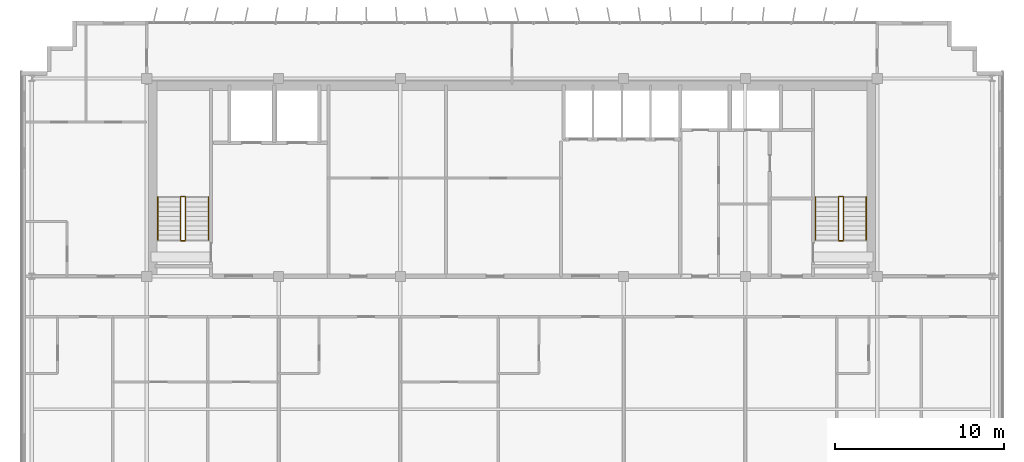
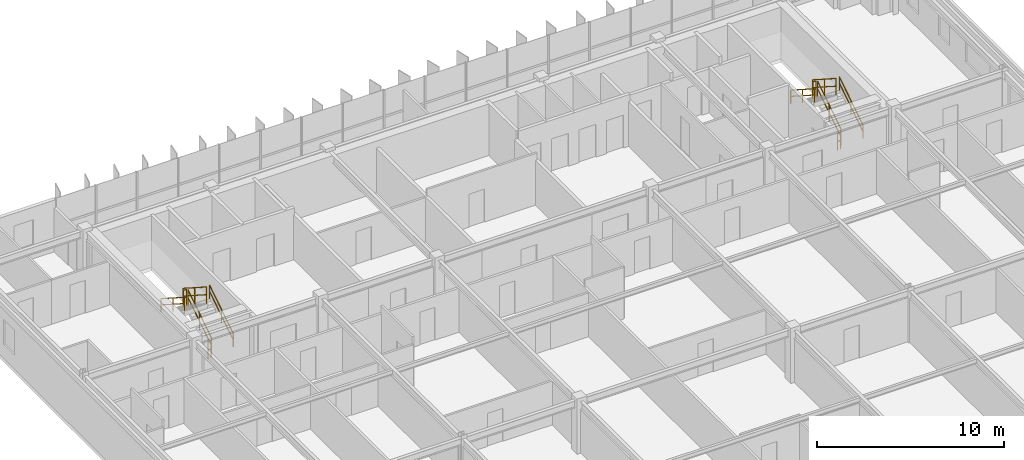
# One storey, part 23 of 23: 12 railings.
"""IFC4 building model written with IfcOpenShell, lengths in metres."""

from ifc_helpers import new_model, si_unit, direction, frame, origin, origin_2d, place, context, subcontext, project, spatial, rectangle, extrude, material, type_object, element, save


model = new_model("IFC4")

# Units and contexts
model_context = context("Model", 3, precision=1e-05, world=origin(), true_north=direction((0.0, 1.0)))
body_context = subcontext(model_context, "Body", "Model", "MODEL_VIEW")
ifc_project = project(units=[si_unit("LENGTHUNIT", "METRE"), si_unit("AREAUNIT", "SQUARE_METRE"), si_unit("VOLUMEUNIT", "CUBIC_METRE"), si_unit("PLANEANGLEUNIT", "RADIAN"), si_unit("MASSUNIT", "GRAM", prefix="KILO")], contexts=[model_context])

# Site, building, storey
site_placement = place(None, origin())
site = spatial("IfcSite", under=ifc_project, at=site_placement, CompositionType="ELEMENT")
building_placement = place(site_placement, origin())
building = spatial("IfcBuilding", under=site, at=building_placement, Name="Trelvane Seafront Commons", CompositionType="ELEMENT")
storey_placement = place(building_placement, frame((0.0, 0.0, 263.10009765625)))
storey = spatial("IfcBuildingStorey", under=building, at=storey_placement, Name="L68", CompositionType="ELEMENT", Elevation=263.10009765625)

# Railings
ifc_material = material(Name="Stainless steel balustrade", Category="steel")
railing_type_1 = type_object("IfcRailingType", Name="ARCH-SRL-GUARD", PredefinedType="GUARDRAIL", material=ifc_material)
railing_1_placement = place(storey_placement, frame((17.89990234375, 35.550048828125, 0.179931640625)))
element("IfcRailing", 1, at=railing_1_placement, inside=storey, type_object=railing_type_1, Name="L68 ST-1 stair guard 1", PredefinedType="GUARDRAIL", context=body_context, shape_type="SweptSolid", body=[
    extrude(rectangle(XDim=0.048095703125, YDim=0.048095703125, at=origin_2d()), frame((0.0, 0.0, 1.076171875), z_axis=(0.0, 0.841199657755, 0.540724639528), x_axis=(-1.0, 0.0, 0.0)), (0.0, 0.0, 1.0), 2.995849609375),
    extrude(rectangle(XDim=0.048095703125, YDim=0.048095703125, at=origin_2d()), frame((0.0, 0.0, 0.572021484375), z_axis=(0.0, 0.841199657755, 0.540724639528), x_axis=(-1.0, 0.0, 0.0)), (0.0, 0.0, 1.0), 2.995849609375),
    extrude(rectangle(XDim=0.0419921875, YDim=0.0419921875, at=origin_2d()), origin(), (0.0, 0.0, 1.0), 1.076171875),
    extrude(rectangle(XDim=0.0419921875, YDim=0.0419921875, at=origin_2d()), frame((0.0, 1.260009765625, 0.81005859375)), (0.0, 0.0, 1.0), 1.076171875),
    extrude(rectangle(XDim=0.0419921875, YDim=0.0419921875, at=origin_2d()), frame((0.0, 2.52001953125, 1.619873046875)), (0.0, 0.0, 1.0), 1.076171875),
])
railing_2_placement = place(storey_placement, frame((17.85009765625, 38.1201171875, 1.7998046875)))
element("IfcRailing", 2, at=railing_2_placement, inside=storey, type_object=railing_type_1, Name="L68 ST-1 stair guard 2", PredefinedType="GUARDRAIL", context=body_context, shape_type="SweptSolid", body=[
    extrude(rectangle(XDim=0.048095703125, YDim=0.048095703125, at=origin_2d()), frame((0.0, 0.0, 1.076171875), z_axis=(-1.0, 0.0, 0.0), x_axis=(0.0, -1.0, 0.0)), (0.0, 0.0, 1.0), 0.2001953125),
    extrude(rectangle(XDim=0.048095703125, YDim=0.048095703125, at=origin_2d()), frame((0.0, 0.0, 0.572021484375), z_axis=(-1.0, 0.0, 0.0), x_axis=(0.0, -1.0, 0.0)), (0.0, 0.0, 1.0), 0.2001953125),
    extrude(rectangle(XDim=0.0419921875, YDim=0.0419921875, at=origin_2d()), origin(), (0.0, 0.0, 1.0), 1.076171875),
    extrude(rectangle(XDim=0.0419921875, YDim=0.0419921875, at=origin_2d()), frame((-0.2001953125, 0.0, 0.0)), (0.0, 0.0, 1.0), 1.076171875),
])
railing_3_placement = place(storey_placement, frame((17.60009765625, 38.070068359375, 1.97998046875)))
element("IfcRailing", 3, at=railing_3_placement, inside=storey, type_object=railing_type_1, Name="L68 ST-1 stair guard 3", PredefinedType="GUARDRAIL", context=body_context, shape_type="SweptSolid", body=[
    extrude(rectangle(XDim=0.048095703125, YDim=0.048095703125, at=origin_2d()), frame((0.0, 0.0, 1.076171875), z_axis=(0.0, -0.841199657755, 0.540724639528), x_axis=(1.0, 0.0, 0.0)), (0.0, 0.0, 1.0), 2.995849609375),
    extrude(rectangle(XDim=0.048095703125, YDim=0.048095703125, at=origin_2d()), frame((0.0, 0.0, 0.572021484375), z_axis=(0.0, -0.841199657755, 0.540724639528), x_axis=(1.0, 0.0, 0.0)), (0.0, 0.0, 1.0), 2.995849609375),
    extrude(rectangle(XDim=0.0419921875, YDim=0.0419921875, at=origin_2d()), origin(), (0.0, 0.0, 1.0), 1.076171875),
    extrude(rectangle(XDim=0.0419921875, YDim=0.0419921875, at=origin_2d()), frame((0.0, -1.260009765625, 0.81005859375)), (0.0, 0.0, 1.0), 1.076171875),
    extrude(rectangle(XDim=0.0419921875, YDim=0.0419921875, at=origin_2d()), frame((0.0, -2.52001953125, 1.619873046875)), (0.0, 0.0, 1.0), 1.076171875),
])
railing_4_placement = place(storey_placement, frame((17.85009765625, 35.5, 0.0)))
element("IfcRailing", 4, at=railing_4_placement, inside=storey, type_object=railing_type_1, Name="L68 ST-1 stair guard 4", PredefinedType="GUARDRAIL", context=body_context, shape_type="SweptSolid", body=[
    extrude(rectangle(XDim=0.048095703125, YDim=0.048095703125, at=origin_2d()), frame((0.0, 0.0, 1.076171875), z_axis=(-1.0, 0.0, 0.0), x_axis=(0.0, -1.0, 0.0)), (0.0, 0.0, 1.0), 0.2001953125),
    extrude(rectangle(XDim=0.048095703125, YDim=0.048095703125, at=origin_2d()), frame((0.0, 0.0, 0.572021484375), z_axis=(-1.0, 0.0, 0.0), x_axis=(0.0, -1.0, 0.0)), (0.0, 0.0, 1.0), 0.2001953125),
    extrude(rectangle(XDim=0.0419921875, YDim=0.0419921875, at=origin_2d()), origin(), (0.0, 0.0, 1.0), 1.076171875),
    extrude(rectangle(XDim=0.0419921875, YDim=0.0419921875, at=origin_2d()), frame((-0.2001953125, 0.0, 0.0)), (0.0, 0.0, 1.0), 1.076171875),
])
railing_5_placement = place(storey_placement, frame((56.800048828125, 35.550048828125, 0.179931640625)))
element("IfcRailing", 5, at=railing_5_placement, inside=storey, type_object=railing_type_1, Name="L68 ST-2 stair guard 1", PredefinedType="GUARDRAIL", context=body_context, shape_type="SweptSolid", body=[
    extrude(rectangle(XDim=0.048095703125, YDim=0.048095703125, at=origin_2d()), frame((0.0, 0.0, 1.076171875), z_axis=(0.0, 0.841199657755, 0.540724639528), x_axis=(-1.0, 0.0, 0.0)), (0.0, 0.0, 1.0), 2.995849609375),
    extrude(rectangle(XDim=0.048095703125, YDim=0.048095703125, at=origin_2d()), frame((0.0, 0.0, 0.572021484375), z_axis=(0.0, 0.841199657755, 0.540724639528), x_axis=(-1.0, 0.0, 0.0)), (0.0, 0.0, 1.0), 2.995849609375),
    extrude(rectangle(XDim=0.0419921875, YDim=0.0419921875, at=origin_2d()), origin(), (0.0, 0.0, 1.0), 1.076171875),
    extrude(rectangle(XDim=0.0419921875, YDim=0.0419921875, at=origin_2d()), frame((0.0, 1.260009765625, 0.81005859375)), (0.0, 0.0, 1.0), 1.076171875),
    extrude(rectangle(XDim=0.0419921875, YDim=0.0419921875, at=origin_2d()), frame((0.0, 2.52001953125, 1.619873046875)), (0.0, 0.0, 1.0), 1.076171875),
])
railing_6_placement = place(storey_placement, frame((56.75, 38.1201171875, 1.7998046875)))
element("IfcRailing", 6, at=railing_6_placement, inside=storey, type_object=railing_type_1, Name="L68 ST-2 stair guard 2", PredefinedType="GUARDRAIL", context=body_context, shape_type="SweptSolid", body=[
    extrude(rectangle(XDim=0.048095703125, YDim=0.048095703125, at=origin_2d()), frame((0.0, 0.0, 1.076171875), z_axis=(-1.0, 0.0, 0.0), x_axis=(0.0, -1.0, 0.0)), (0.0, 0.0, 1.0), 0.199951171875),
    extrude(rectangle(XDim=0.048095703125, YDim=0.048095703125, at=origin_2d()), frame((0.0, 0.0, 0.572021484375), z_axis=(-1.0, 0.0, 0.0), x_axis=(0.0, -1.0, 0.0)), (0.0, 0.0, 1.0), 0.199951171875),
    extrude(rectangle(XDim=0.0419921875, YDim=0.0419921875, at=origin_2d()), origin(), (0.0, 0.0, 1.0), 1.076171875),
    extrude(rectangle(XDim=0.0419921875, YDim=0.0419921875, at=origin_2d()), frame((-0.199951171875, 0.0, 0.0)), (0.0, 0.0, 1.0), 1.076171875),
])
railing_7_placement = place(storey_placement, frame((56.5, 38.070068359375, 1.97998046875)))
element("IfcRailing", 7, at=railing_7_placement, inside=storey, type_object=railing_type_1, Name="L68 ST-2 stair guard 3", PredefinedType="GUARDRAIL", context=body_context, shape_type="SweptSolid", body=[
    extrude(rectangle(XDim=0.048095703125, YDim=0.048095703125, at=origin_2d()), frame((0.0, 0.0, 1.076171875), z_axis=(0.0, -0.841199657755, 0.540724639528), x_axis=(1.0, 0.0, 0.0)), (0.0, 0.0, 1.0), 2.995849609375),
    extrude(rectangle(XDim=0.048095703125, YDim=0.048095703125, at=origin_2d()), frame((0.0, 0.0, 0.572021484375), z_axis=(0.0, -0.841199657755, 0.540724639528), x_axis=(1.0, 0.0, 0.0)), (0.0, 0.0, 1.0), 2.995849609375),
    extrude(rectangle(XDim=0.0419921875, YDim=0.0419921875, at=origin_2d()), origin(), (0.0, 0.0, 1.0), 1.076171875),
    extrude(rectangle(XDim=0.0419921875, YDim=0.0419921875, at=origin_2d()), frame((0.0, -1.260009765625, 0.81005859375)), (0.0, 0.0, 1.0), 1.076171875),
    extrude(rectangle(XDim=0.0419921875, YDim=0.0419921875, at=origin_2d()), frame((0.0, -2.52001953125, 1.619873046875)), (0.0, 0.0, 1.0), 1.076171875),
])
railing_8_placement = place(storey_placement, frame((56.75, 35.5, 0.0)))
element("IfcRailing", 8, at=railing_8_placement, inside=storey, type_object=railing_type_1, Name="L68 ST-2 stair guard 4", PredefinedType="GUARDRAIL", context=body_context, shape_type="SweptSolid", body=[
    extrude(rectangle(XDim=0.048095703125, YDim=0.048095703125, at=origin_2d()), frame((0.0, 0.0, 1.076171875), z_axis=(-1.0, 0.0, 0.0), x_axis=(0.0, -1.0, 0.0)), (0.0, 0.0, 1.0), 0.199951171875),
    extrude(rectangle(XDim=0.048095703125, YDim=0.048095703125, at=origin_2d()), frame((0.0, 0.0, 0.572021484375), z_axis=(-1.0, 0.0, 0.0), x_axis=(0.0, -1.0, 0.0)), (0.0, 0.0, 1.0), 0.199951171875),
    extrude(rectangle(XDim=0.0419921875, YDim=0.0419921875, at=origin_2d()), origin(), (0.0, 0.0, 1.0), 1.076171875),
    extrude(rectangle(XDim=0.0419921875, YDim=0.0419921875, at=origin_2d()), frame((-0.199951171875, 0.0, 0.0)), (0.0, 0.0, 1.0), 1.076171875),
])
railing_type_2 = type_object("IfcRailingType", Name="ARCH-SRL-HAND", PredefinedType="HANDRAIL", material=ifc_material)
railing_9_placement = place(storey_placement, frame((19.25, 35.550048828125, 0.179931640625)))
element("IfcRailing", 9, at=railing_9_placement, inside=storey, type_object=railing_type_2, Name="L68 ST-1 stair handrail 1", PredefinedType="HANDRAIL", context=body_context, shape_type="SweptSolid", body=[
    extrude(rectangle(XDim=0.048095703125, YDim=0.048095703125, at=origin_2d()), frame((0.0, 0.0, 0.8759765625), z_axis=(0.0, 0.841199657755, 0.540724639528), x_axis=(-1.0, 0.0, 0.0)), (0.0, 0.0, 1.0), 2.995849609375),
    extrude(rectangle(XDim=0.048095703125, YDim=0.048095703125, at=origin_2d()), frame((0.0, 0.0, 0.468017578125), z_axis=(0.0, 0.841199657755, 0.540724639528), x_axis=(-1.0, 0.0, 0.0)), (0.0, 0.0, 1.0), 2.995849609375),
    extrude(rectangle(XDim=0.0419921875, YDim=0.0419921875, at=origin_2d()), origin(), (0.0, 0.0, 1.0), 0.8759765625),
    extrude(rectangle(XDim=0.0419921875, YDim=0.0419921875, at=origin_2d()), frame((0.0, 1.260009765625, 0.81005859375)), (0.0, 0.0, 1.0), 0.8759765625),
    extrude(rectangle(XDim=0.0419921875, YDim=0.0419921875, at=origin_2d()), frame((0.0, 2.52001953125, 1.619873046875)), (0.0, 0.0, 1.0), 0.8759765625),
])
railing_10_placement = place(storey_placement, frame((16.25, 38.070068359375, 1.97998046875)))
element("IfcRailing", 10, at=railing_10_placement, inside=storey, type_object=railing_type_2, Name="L68 ST-1 stair handrail 2", PredefinedType="HANDRAIL", context=body_context, shape_type="SweptSolid", body=[
    extrude(rectangle(XDim=0.048095703125, YDim=0.048095703125, at=origin_2d()), frame((0.0, 0.0, 0.8759765625), z_axis=(0.0, -0.841199657755, 0.540724639528), x_axis=(1.0, 0.0, 0.0)), (0.0, 0.0, 1.0), 2.995849609375),
    extrude(rectangle(XDim=0.048095703125, YDim=0.048095703125, at=origin_2d()), frame((0.0, 0.0, 0.468017578125), z_axis=(0.0, -0.841199657755, 0.540724639528), x_axis=(1.0, 0.0, 0.0)), (0.0, 0.0, 1.0), 2.995849609375),
    extrude(rectangle(XDim=0.0419921875, YDim=0.0419921875, at=origin_2d()), origin(), (0.0, 0.0, 1.0), 0.8759765625),
    extrude(rectangle(XDim=0.0419921875, YDim=0.0419921875, at=origin_2d()), frame((0.0, -1.260009765625, 0.81005859375)), (0.0, 0.0, 1.0), 0.8759765625),
    extrude(rectangle(XDim=0.0419921875, YDim=0.0419921875, at=origin_2d()), frame((0.0, -2.52001953125, 1.619873046875)), (0.0, 0.0, 1.0), 0.8759765625),
])
railing_11_placement = place(storey_placement, frame((58.14990234375, 35.550048828125, 0.179931640625)))
element("IfcRailing", 11, at=railing_11_placement, inside=storey, type_object=railing_type_2, Name="L68 ST-2 stair handrail 1", PredefinedType="HANDRAIL", context=body_context, shape_type="SweptSolid", body=[
    extrude(rectangle(XDim=0.048095703125, YDim=0.048095703125, at=origin_2d()), frame((0.0, 0.0, 0.8759765625), z_axis=(0.0, 0.841199657755, 0.540724639528), x_axis=(-1.0, 0.0, 0.0)), (0.0, 0.0, 1.0), 2.995849609375),
    extrude(rectangle(XDim=0.048095703125, YDim=0.048095703125, at=origin_2d()), frame((0.0, 0.0, 0.468017578125), z_axis=(0.0, 0.841199657755, 0.540724639528), x_axis=(-1.0, 0.0, 0.0)), (0.0, 0.0, 1.0), 2.995849609375),
    extrude(rectangle(XDim=0.0419921875, YDim=0.0419921875, at=origin_2d()), origin(), (0.0, 0.0, 1.0), 0.8759765625),
    extrude(rectangle(XDim=0.0419921875, YDim=0.0419921875, at=origin_2d()), frame((0.0, 1.260009765625, 0.81005859375)), (0.0, 0.0, 1.0), 0.8759765625),
    extrude(rectangle(XDim=0.0419921875, YDim=0.0419921875, at=origin_2d()), frame((0.0, 2.52001953125, 1.619873046875)), (0.0, 0.0, 1.0), 0.8759765625),
])
railing_12_placement = place(storey_placement, frame((55.14990234375, 38.070068359375, 1.97998046875)))
element("IfcRailing", 12, at=railing_12_placement, inside=storey, type_object=railing_type_2, Name="L68 ST-2 stair handrail 2", PredefinedType="HANDRAIL", context=body_context, shape_type="SweptSolid", body=[
    extrude(rectangle(XDim=0.048095703125, YDim=0.048095703125, at=origin_2d()), frame((0.0, 0.0, 0.8759765625), z_axis=(0.0, -0.841199657755, 0.540724639528), x_axis=(1.0, 0.0, 0.0)), (0.0, 0.0, 1.0), 2.995849609375),
    extrude(rectangle(XDim=0.048095703125, YDim=0.048095703125, at=origin_2d()), frame((0.0, 0.0, 0.468017578125), z_axis=(0.0, -0.841199657755, 0.540724639528), x_axis=(1.0, 0.0, 0.0)), (0.0, 0.0, 1.0), 2.995849609375),
    extrude(rectangle(XDim=0.0419921875, YDim=0.0419921875, at=origin_2d()), origin(), (0.0, 0.0, 1.0), 0.8759765625),
    extrude(rectangle(XDim=0.0419921875, YDim=0.0419921875, at=origin_2d()), frame((0.0, -1.260009765625, 0.81005859375)), (0.0, 0.0, 1.0), 0.8759765625),
    extrude(rectangle(XDim=0.0419921875, YDim=0.0419921875, at=origin_2d()), frame((0.0, -2.52001953125, 1.619873046875)), (0.0, 0.0, 1.0), 0.8759765625),
])

save(model, "model.ifc")
